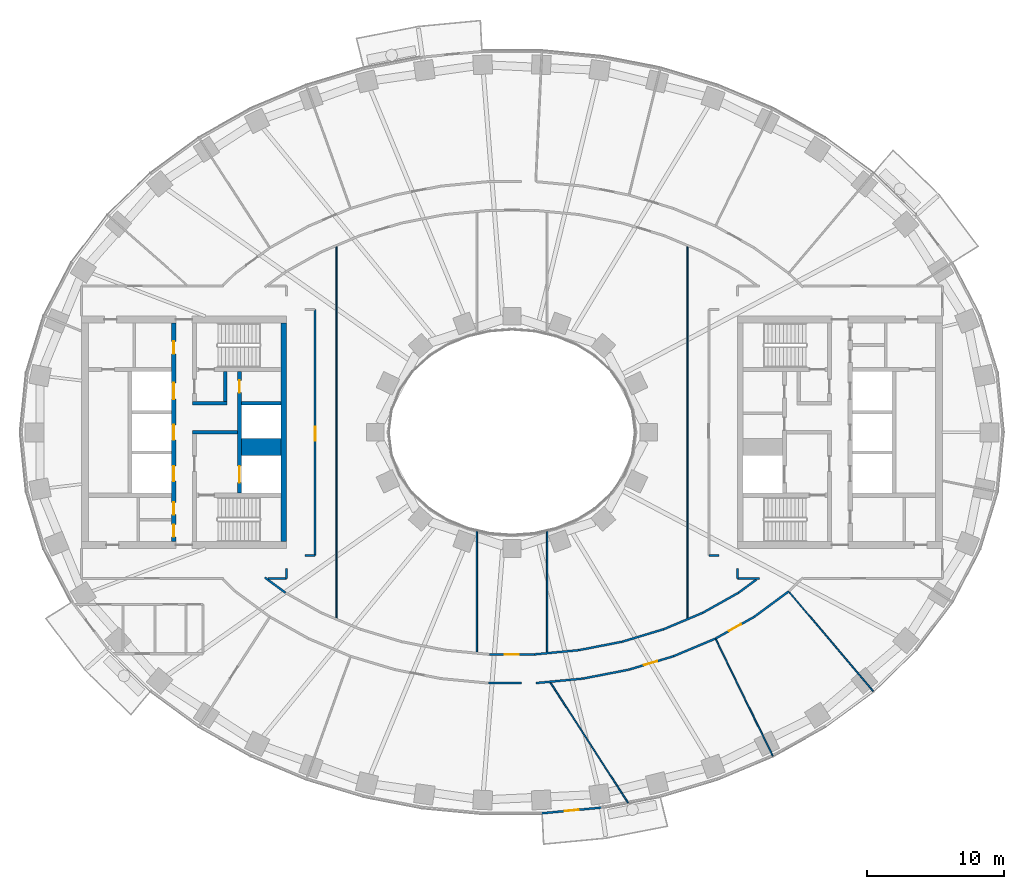
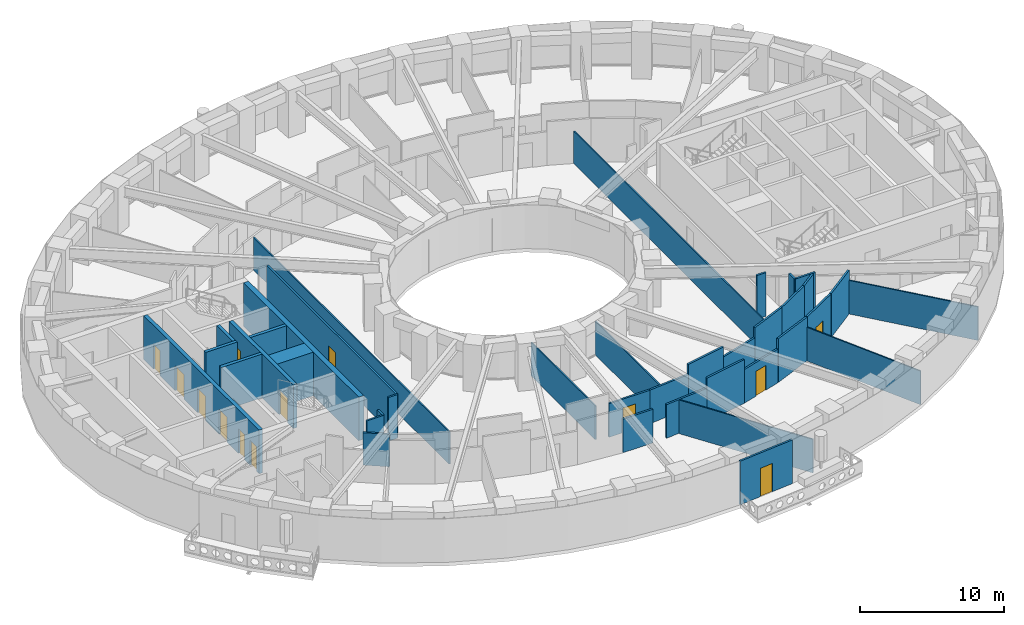
# One storey, part 4 of 16: 38 walls, 13 doors, 13 openings.
"""IFC4 building model written with IfcOpenShell, lengths in metres."""

from ifc_helpers import new_model, si_unit, direction, frame, frame_2d, origin, place, context, subcontext, project, spatial, rectangle, extrude, material, layer, layer_set, type_object, element, fill, save


model = new_model("IFC4")

# Units and contexts
model_context = context("Model", 3, precision=1e-05, world=origin(), true_north=direction((0.0, 1.0)))
body_context = subcontext(model_context, "Body", "Model", "MODEL_VIEW")
ifc_project = project(units=[si_unit("LENGTHUNIT", "METRE"), si_unit("AREAUNIT", "SQUARE_METRE"), si_unit("VOLUMEUNIT", "CUBIC_METRE"), si_unit("PLANEANGLEUNIT", "RADIAN"), si_unit("MASSUNIT", "GRAM", prefix="KILO")], contexts=[model_context])

# Site, building, storey
site_placement = place(None, origin())
site = spatial("IfcSite", under=ifc_project, at=site_placement, CompositionType="ELEMENT")
building_placement = place(site_placement, origin())
building = spatial("IfcBuilding", under=site, at=building_placement, Name="Noorbagh Ring Tower", CompositionType="ELEMENT")
storey_placement = place(building_placement, frame((0.0, 0.0, 66.5)))
storey = spatial("IfcBuildingStorey", under=building, at=storey_placement, Name="L14", CompositionType="ELEMENT", Elevation=66.5)

# Walls
ifc_material_1 = material(Name="Concrete C70/85", Category="concrete")
ifc_layer_1 = layer(ifc_material_1, 1.25)
ifc_layer_set_1 = layer_set([ifc_layer_1], Name="Concrete C70/85")
wall_type_1 = type_object("IfcWallType", Name="CORE-WALL-1250-C70-85-EI120", PredefinedType="SHEAR", material=ifc_layer_set_1)
wall_1_placement = place(storey_placement, frame((-16.89990234375, -1.074951171875, 0.0), z_axis=(0.0, 0.0, 1.0), x_axis=(-1.0, 0.0, 0.0)))
element("IfcWall", 1, at=wall_1_placement, inside=storey, type_object=wall_type_1, Name="Core wall W", PredefinedType="SHEAR", context=body_context, shape_type="SweptSolid", body=[
    extrude(rectangle(XDim=2.900146484375, YDim=1.25, at=frame_2d((1.4501953125, 0.0))), origin(), (0.0, 0.0, 1.0), 3.699951171875),
])
ifc_material_2 = material(Name="Concrete C70/85", Category="concrete")
ifc_layer_2 = layer(ifc_material_2, 0.25)
ifc_layer_set_2 = layer_set([ifc_layer_2], Name="Concrete C70/85")
wall_type_2 = type_object("IfcWallType", Name="CORE-WALL-250-C70-85-EI120", PredefinedType="SHEAR", material=ifc_layer_set_2)
wall_2_placement = place(storey_placement, frame((-16.89990234375, 2.125, 0.0), z_axis=(0.0, 0.0, 1.0), x_axis=(-1.0, 0.0, 0.0)))
element("IfcWall", 2, at=wall_2_placement, inside=storey, type_object=wall_type_2, Name="Core wall W", PredefinedType="SHEAR", context=body_context, shape_type="SweptSolid", body=[
    extrude(rectangle(XDim=2.900146484375, YDim=0.25, at=frame_2d((1.4501953125, 0.0))), origin(), (0.0, 0.0, 1.0), 3.699951171875),
])
ifc_material_3 = material(Name="Concrete C70/85", Category="concrete")
ifc_layer_3 = layer(ifc_material_3, 0.25)
ifc_layer_set_3 = layer_set([ifc_layer_3], Name="Concrete C70/85")
wall_type_3 = type_object("IfcWallType", Name="CORE-WALL-250-C70-85-EI240", PredefinedType="SHEAR", material=ifc_layer_set_3)
wall_3_placement = place(storey_placement, frame((-20.10009765625, 0.0, 0.0), z_axis=(0.0, 0.0, 1.0), x_axis=(-1.0, 0.0, 0.0)))
element("IfcWall", 3, at=wall_3_placement, inside=storey, type_object=wall_type_3, Name="Core wall W", PredefinedType="SHEAR", context=body_context, shape_type="SweptSolid", body=[
    extrude(rectangle(XDim=3.27978515625, YDim=0.25, at=frame_2d((1.639892578125, 0.0))), origin(), (0.0, 0.0, 1.0), 3.699951171875),
])
wall_4_placement = place(storey_placement, frame((-20.85009765625, 2.125, 0.0), z_axis=(0.0, 0.0, 1.0), x_axis=(-1.0, 0.0, 0.0)))
element("IfcWall", 4, at=wall_4_placement, inside=storey, type_object=wall_type_3, Name="Core wall W", PredefinedType="SHEAR", context=body_context, shape_type="SweptSolid", body=[
    extrude(rectangle(XDim=2.52978515625, YDim=0.25, at=frame_2d((1.264892578125, 0.0))), origin(), (0.0, 0.0, 1.0), 3.699951171875),
])
wall_5_placement = place(storey_placement, frame((-20.97509765625, 2.25, 0.0), z_axis=(0.0, 0.0, 1.0), x_axis=(0.0, 1.0, 0.0)))
element("IfcWall", 5, at=wall_5_placement, inside=storey, type_object=wall_type_3, Name="Core wall W", PredefinedType="SHEAR", context=body_context, shape_type="SweptSolid", body=[
    extrude(rectangle(XDim=2.199951171875, YDim=0.25, at=frame_2d((1.10009765625, 0.0))), origin(), (0.0, 0.0, 1.0), 3.699951171875),
])

# Wall, openings, doors
ifc_material_4 = material(Name="Concrete C70/85", Category="concrete")
ifc_layer_4 = layer(ifc_material_4, 0.300048828125)
ifc_layer_set_4 = layer_set([ifc_layer_4], Name="Concrete C70/85")
wall_type_4 = type_object("IfcWallType", Name="CORE-WALL-300-C70-85-EI120", PredefinedType="SHEAR", material=ifc_layer_set_4)
wall_6_placement = place(storey_placement, frame((-19.949951171875, -4.449951171875, 0.0), z_axis=(0.0, 0.0, 1.0), x_axis=(0.0, 1.0, 0.0)))
wall_6 = element("IfcWall", 6, at=wall_6_placement, inside=storey, type_object=wall_type_4, Name="Core wall W", PredefinedType="SHEAR", context=body_context, shape_type="SweptSolid", body=[
    extrude(rectangle(XDim=8.89990234375, YDim=0.300048828125, at=frame_2d((4.449951171875, 0.0))), origin(), (0.0, 0.0, 1.0), 3.699951171875),
])
opening_1_placement = place(wall_6_placement, frame((0.77490234375, 0.0, 0.0)))
opening_1 = element("IfcOpeningElement", 7, at=opening_1_placement, cuts=wall_6, Name="Opening L14-CW01", PredefinedType="OPENING", context=body_context, shape_type="SweptSolid", body=[
    extrude(rectangle(XDim=1.199951171875, YDim=2.10009765625, at=frame_2d((0.60009765625, 1.050048828125))), frame((0.0, 0.16015625, 0.0), z_axis=(0.0, -1.0, 0.0), x_axis=(1.0, 0.0, 0.0)), (0.0, 0.0, 1.0), 0.320068359375),
])
opening_2_placement = place(wall_6_placement, frame((7.35009765625, 0.0, 0.0)))
opening_2 = element("IfcOpeningElement", 8, at=opening_2_placement, cuts=wall_6, Name="Opening L14-CW11", PredefinedType="OPENING", context=body_context, shape_type="SweptSolid", body=[
    extrude(rectangle(XDim=0.89990234375, YDim=2.10009765625, at=frame_2d((0.449951171875, 1.050048828125))), frame((0.0, 0.16015625, 0.0), z_axis=(0.0, -1.0, 0.0), x_axis=(1.0, 0.0, 0.0)), (0.0, 0.0, 1.0), 0.320068359375),
])
ifc_material_5 = material(Name="Steel door leaf", Category="steel")
door_type_1 = type_object("IfcDoorType", Name="CORE-DOOR-DROOM", OperationType="SINGLE_SWING_LEFT", PredefinedType="DOOR", material=ifc_material_5)
door_1_placement = place(opening_2_placement, origin())
door_1 = element("IfcDoor", 9, at=door_1_placement, inside=storey, type_object=door_type_1, Name="Core room door L14-CW11", OperationType="SINGLE_SWING_LEFT", OverallHeight=2.10009765625, OverallWidth=0.89990234375, PredefinedType="DOOR", context=body_context, shape_type="SweptSolid", body=[
    extrude(rectangle(XDim=0.89990234375, YDim=2.10009765625, at=frame_2d((0.449951171875, 1.050048828125))), frame((0.0, 0.02490234375, 0.0), z_axis=(0.0, -1.0, 0.0), x_axis=(1.0, 0.0, 0.0)), (0.0, 0.0, 1.0), 0.050048828125),
])
fill(opening_2, door_1)
ifc_material_6 = material(Name="Steel door leaf", Category="steel")
door_type_2 = type_object("IfcDoorType", Name="CORE-DOOR-LDW", OperationType="DOUBLE_DOOR_SLIDING", PredefinedType="DOOR", material=ifc_material_6)
door_2_placement = place(opening_1_placement, origin())
door_2 = element("IfcDoor", 10, at=door_2_placement, inside=storey, type_object=door_type_2, Name="Landing door FF1 L14-CW01", OperationType="DOUBLE_DOOR_SLIDING", OverallHeight=2.10009765625, OverallWidth=1.199951171875, PredefinedType="DOOR", context=body_context, shape_type="SweptSolid", body=[
    extrude(rectangle(XDim=1.199951171875, YDim=2.10009765625, at=frame_2d((0.60009765625, 1.050048828125))), frame((0.0, 0.02490234375, 0.0), z_axis=(0.0, -1.0, 0.0), x_axis=(1.0, 0.0, 0.0)), (0.0, 0.0, 1.0), 0.050048828125),
])
fill(opening_1, door_2)

wall_7_placement = place(storey_placement, frame((-24.75, -8.0, 0.0), z_axis=(0.0, 0.0, 1.0), x_axis=(0.0, 1.0, 0.0)))
wall_7 = element("IfcWall", 11, at=wall_7_placement, inside=storey, type_object=wall_type_4, Name="Core wall W", PredefinedType="SHEAR", context=body_context, shape_type="SweptSolid", body=[
    extrude(rectangle(XDim=16.0, YDim=0.300048828125, at=frame_2d((8.0, 0.0))), origin(), (0.0, 0.0, 1.0), 3.699951171875),
])
opening_3_placement = place(wall_7_placement, frame((4.425048828125, 0.0, 0.0)))
opening_3 = element("IfcOpeningElement", 12, at=opening_3_placement, cuts=wall_7, Name="Opening L14-CW02", PredefinedType="OPENING", context=body_context, shape_type="SweptSolid", body=[
    extrude(rectangle(XDim=1.10009765625, YDim=2.10009765625, at=frame_2d((0.550048828125, 1.050048828125))), frame((0.0, 0.16015625, 0.0), z_axis=(0.0, -1.0, 0.0), x_axis=(1.0, 0.0, 0.0)), (0.0, 0.0, 1.0), 0.320068359375),
])
opening_4_placement = place(wall_7_placement, frame((7.449951171875, 0.0, 0.0)))
opening_4 = element("IfcOpeningElement", 13, at=opening_4_placement, cuts=wall_7, Name="Opening L14-CW03", PredefinedType="OPENING", context=body_context, shape_type="SweptSolid", body=[
    extrude(rectangle(XDim=1.10009765625, YDim=2.10009765625, at=frame_2d((0.550048828125, 1.050048828125))), frame((0.0, 0.16015625, 0.0), z_axis=(0.0, -1.0, 0.0), x_axis=(1.0, 0.0, 0.0)), (0.0, 0.0, 1.0), 0.320068359375),
])
opening_5_placement = place(wall_7_placement, frame((10.425048828125, 0.0, 0.0)))
opening_5 = element("IfcOpeningElement", 14, at=opening_5_placement, cuts=wall_7, Name="Opening L14-CW04", PredefinedType="OPENING", context=body_context, shape_type="SweptSolid", body=[
    extrude(rectangle(XDim=1.199951171875, YDim=2.10009765625, at=frame_2d((0.60009765625, 1.050048828125))), frame((0.0, 0.16015625, 0.0), z_axis=(0.0, -1.0, 0.0), x_axis=(1.0, 0.0, 0.0)), (0.0, 0.0, 1.0), 0.320068359375),
])
opening_6_placement = place(wall_7_placement, frame((13.75, 0.0, 0.0)))
opening_6 = element("IfcOpeningElement", 15, at=opening_6_placement, cuts=wall_7, Name="Opening L14-CW12", PredefinedType="OPENING", context=body_context, shape_type="SweptSolid", body=[
    extrude(rectangle(XDim=0.89990234375, YDim=2.10009765625, at=frame_2d((0.449951171875, 1.050048828125))), frame((0.0, 0.16015625, 0.0), z_axis=(0.0, -1.0, 0.0), x_axis=(1.0, 0.0, 0.0)), (0.0, 0.0, 1.0), 0.320068359375),
])
opening_7_placement = place(wall_7_placement, frame((1.97509765625, 0.0, 0.0)))
opening_7 = element("IfcOpeningElement", 16, at=opening_7_placement, cuts=wall_7, Name="Opening L14-CW14", PredefinedType="OPENING", context=body_context, shape_type="SweptSolid", body=[
    extrude(rectangle(XDim=0.89990234375, YDim=2.10009765625, at=frame_2d((0.449951171875, 1.050048828125))), frame((0.0, 0.16015625, 0.0), z_axis=(0.0, -1.0, 0.0), x_axis=(1.0, 0.0, 0.0)), (0.0, 0.0, 1.0), 0.320068359375),
])
opening_8_placement = place(wall_7_placement, frame((0.35009765625, 0.0, 0.0)))
opening_8 = element("IfcOpeningElement", 17, at=opening_8_placement, cuts=wall_7, Name="Opening L14-CW15", PredefinedType="OPENING", context=body_context, shape_type="SweptSolid", body=[
    extrude(rectangle(XDim=0.89990234375, YDim=2.10009765625, at=frame_2d((0.449951171875, 1.050048828125))), frame((0.0, 0.16015625, 0.0), z_axis=(0.0, -1.0, 0.0), x_axis=(1.0, 0.0, 0.0)), (0.0, 0.0, 1.0), 0.320068359375),
])
door_3_placement = place(opening_6_placement, origin())
door_3 = element("IfcDoor", 18, at=door_3_placement, inside=storey, type_object=door_type_1, Name="Core room door L14-CW12", OperationType="SINGLE_SWING_RIGHT", OverallHeight=2.10009765625, OverallWidth=0.89990234375, PredefinedType="DOOR", context=body_context, shape_type="SweptSolid", body=[
    extrude(rectangle(XDim=0.89990234375, YDim=2.10009765625, at=frame_2d((0.449951171875, 1.050048828125))), frame((0.0, 0.02490234375, 0.0), z_axis=(0.0, -1.0, 0.0), x_axis=(1.0, 0.0, 0.0)), (0.0, 0.0, 1.0), 0.050048828125),
])
fill(opening_6, door_3)
door_4_placement = place(opening_7_placement, origin())
door_4 = element("IfcDoor", 19, at=door_4_placement, inside=storey, type_object=door_type_1, Name="Core room door L14-CW14", OperationType="SINGLE_SWING_RIGHT", OverallHeight=2.10009765625, OverallWidth=0.89990234375, PredefinedType="DOOR", context=body_context, shape_type="SweptSolid", body=[
    extrude(rectangle(XDim=0.89990234375, YDim=2.10009765625, at=frame_2d((0.449951171875, 1.050048828125))), frame((0.0, 0.02490234375, 0.0), z_axis=(0.0, -1.0, 0.0), x_axis=(1.0, 0.0, 0.0)), (0.0, 0.0, 1.0), 0.050048828125),
])
fill(opening_7, door_4)
door_5_placement = place(opening_8_placement, origin())
door_5 = element("IfcDoor", 20, at=door_5_placement, inside=storey, type_object=door_type_1, Name="Core room door L14-CW15", OperationType="SINGLE_SWING_LEFT", OverallHeight=2.10009765625, OverallWidth=0.89990234375, PredefinedType="DOOR", context=body_context, shape_type="SweptSolid", body=[
    extrude(rectangle(XDim=0.89990234375, YDim=2.10009765625, at=frame_2d((0.449951171875, 1.050048828125))), frame((0.0, 0.02490234375, 0.0), z_axis=(0.0, -1.0, 0.0), x_axis=(1.0, 0.0, 0.0)), (0.0, 0.0, 1.0), 0.050048828125),
])
fill(opening_8, door_5)
ifc_material_7 = material(Name="Steel door leaf", Category="steel")
door_type_3 = type_object("IfcDoorType", Name="CORE-DOOR-LD", OperationType="DOUBLE_DOOR_SLIDING", PredefinedType="DOOR", material=ifc_material_7)
door_6_placement = place(opening_3_placement, origin())
door_6 = element("IfcDoor", 21, at=door_6_placement, inside=storey, type_object=door_type_3, Name="Landing door LR1 L14-CW02", OperationType="DOUBLE_DOOR_SLIDING", OverallHeight=2.10009765625, OverallWidth=1.10009765625, PredefinedType="DOOR", context=body_context, shape_type="SweptSolid", body=[
    extrude(rectangle(XDim=1.10009765625, YDim=2.10009765625, at=frame_2d((0.550048828125, 1.050048828125))), frame((0.0, 0.02490234375, 0.0), z_axis=(0.0, -1.0, 0.0), x_axis=(1.0, 0.0, 0.0)), (0.0, 0.0, 1.0), 0.050048828125),
])
fill(opening_3, door_6)
door_7_placement = place(opening_4_placement, origin())
door_7 = element("IfcDoor", 22, at=door_7_placement, inside=storey, type_object=door_type_3, Name="Landing door LR2 L14-CW03", OperationType="DOUBLE_DOOR_SLIDING", OverallHeight=2.10009765625, OverallWidth=1.10009765625, PredefinedType="DOOR", context=body_context, shape_type="SweptSolid", body=[
    extrude(rectangle(XDim=1.10009765625, YDim=2.10009765625, at=frame_2d((0.550048828125, 1.050048828125))), frame((0.0, 0.02490234375, 0.0), z_axis=(0.0, -1.0, 0.0), x_axis=(1.0, 0.0, 0.0)), (0.0, 0.0, 1.0), 0.050048828125),
])
fill(opening_4, door_7)
door_8_placement = place(opening_5_placement, origin())
door_8 = element("IfcDoor", 23, at=door_8_placement, inside=storey, type_object=door_type_2, Name="Landing door SV1 L14-CW04", OperationType="DOUBLE_DOOR_SLIDING", OverallHeight=2.10009765625, OverallWidth=1.199951171875, PredefinedType="DOOR", context=body_context, shape_type="SweptSolid", body=[
    extrude(rectangle(XDim=1.199951171875, YDim=2.10009765625, at=frame_2d((0.60009765625, 1.050048828125))), frame((0.0, 0.02490234375, 0.0), z_axis=(0.0, -1.0, 0.0), x_axis=(1.0, 0.0, 0.0)), (0.0, 0.0, 1.0), 0.050048828125),
])
fill(opening_5, door_8)

# Walls
ifc_material_8 = material(Name="Concrete C70/85", Category="concrete")
ifc_layer_5 = layer(ifc_material_8, 0.39990234375)
ifc_layer_set_5 = layer_set([ifc_layer_5], Name="Concrete C70/85")
wall_type_5 = type_object("IfcWallType", Name="CORE-WALL-400-C70-85-EI240", PredefinedType="SHEAR", material=ifc_layer_set_5)
wall_8_placement = place(storey_placement, frame((-16.699951171875, -8.0, 0.0), z_axis=(0.0, 0.0, 1.0), x_axis=(0.0, 1.0, 0.0)))
element("IfcWall", 24, at=wall_8_placement, inside=storey, type_object=wall_type_5, Name="Core wall W", PredefinedType="SHEAR", context=body_context, shape_type="SweptSolid", body=[
    extrude(rectangle(XDim=16.0, YDim=0.39990234375, at=frame_2d((8.0, 0.0))), origin(), (0.0, 0.0, 1.0), 3.699951171875),
])
ifc_material_9 = material(Name="Gypsum board on steel studs", Category="steel")
ifc_layer_6 = layer(ifc_material_9, 0.14990234375)
ifc_layer_set_6 = layer_set([ifc_layer_6], Name="Gypsum board on steel studs")
wall_type_6 = type_object("IfcWallType", Name="CORRIDOR PARTITION 150 EI 30", PredefinedType="PARTITIONING", material=ifc_layer_set_6)
wall_9_placement = place(storey_placement, frame((-18.0830078125, -10.625, 0.0), z_axis=(0.0, 0.0, 1.0), x_axis=(0.805150898842, -0.593070004379, 0.0)))
element("IfcWall", 25, at=wall_9_placement, inside=storey, type_object=wall_type_6, Name="L14/wall/P21", PredefinedType="PARTITIONING", context=body_context, shape_type="SweptSolid", body=[
    extrude(rectangle(XDim=1.871826171875, YDim=0.14990234375, at=frame_2d((0.93603515625, 0.0))), origin(), (0.0, 0.0, 1.0), 2.75),
])
wall_10_placement = place(storey_placement, frame((-17.85498046875, -10.699951171875, 0.0), z_axis=(0.0, 0.0, 1.0), x_axis=(1.0, 0.0, 0.0)))
element("IfcWall", 26, at=wall_10_placement, inside=storey, type_object=wall_type_6, Name="L14/wall/P22", PredefinedType="PARTITIONING", context=body_context, shape_type="SweptSolid", body=[
    extrude(rectangle(XDim=1.35498046875, YDim=0.14990234375, at=frame_2d((0.677490234375, 0.0))), origin(), (0.0, 0.0, 1.0), 3.699951171875),
])
wall_11_placement = place(storey_placement, frame((-16.5, -10.699951171875, 0.0), z_axis=(0.0, 0.0, 1.0), x_axis=(0.0, 1.0, 0.0)))
element("IfcWall", 27, at=wall_11_placement, inside=storey, type_object=wall_type_6, Name="L14/wall/P29", PredefinedType="PARTITIONING", context=body_context, shape_type="SweptSolid", body=[
    extrude(rectangle(XDim=0.73583984375, YDim=0.14990234375, at=frame_2d((0.367919921875, 0.0))), origin(), (0.0, 0.0, 1.0), 3.699951171875),
])
wall_12_placement = place(storey_placement, frame((-15.134033203125, -9.0, 0.0), z_axis=(0.0, 0.0, 1.0), x_axis=(1.0, 0.0, 0.0)))
element("IfcWall", 28, at=wall_12_placement, inside=storey, type_object=wall_type_6, Name="L14/wall/P31", PredefinedType="PARTITIONING", context=body_context, shape_type="SweptSolid", body=[
    extrude(rectangle(XDim=0.734130859375, YDim=0.14990234375, at=frame_2d((0.3671875, 0.0))), origin(), (0.0, 0.0, 1.0), 3.699951171875),
])

# Wall, opening, door
wall_13_placement = place(storey_placement, frame((-14.39990234375, -9.0, 0.0), z_axis=(0.0, 0.0, 1.0), x_axis=(0.0, 1.0, 0.0)))
wall_13 = element("IfcWall", 29, at=wall_13_placement, inside=storey, type_object=wall_type_6, Name="L14/wall/P37", PredefinedType="PARTITIONING", context=body_context, shape_type="SweptSolid", body=[
    extrude(rectangle(XDim=18.0, YDim=0.14990234375, at=frame_2d((9.0, 0.0))), origin(), (0.0, 0.0, 1.0), 3.699951171875),
])
opening_9_placement = place(wall_13_placement, frame((8.39990234375, 0.0, 0.0)))
opening_9 = element("IfcOpeningElement", 30, at=opening_9_placement, cuts=wall_13, Name="Opening D1", PredefinedType="OPENING", context=body_context, shape_type="SweptSolid", body=[
    extrude(rectangle(XDim=1.0, YDim=2.10009765625, at=frame_2d((0.5, 1.050048828125))), frame((0.0, 0.0849609375, 0.0), z_axis=(0.0, -1.0, 0.0), x_axis=(1.0, 0.0, 0.0)), (0.0, 0.0, 1.0), 0.169921875),
])
ifc_material_10 = material(Name="Timber, painted", Category="wood")
door_type_4 = type_object("IfcDoorType", Name="DOOR 1000 X 2100 FD30", OperationType="SINGLE_SWING_LEFT", PredefinedType="DOOR", material=ifc_material_10)
door_9_placement = place(opening_9_placement, origin())
door_9 = element("IfcDoor", 31, at=door_9_placement, inside=storey, type_object=door_type_4, Name="L14-D21", OperationType="SINGLE_SWING_LEFT", OverallHeight=2.10009765625, OverallWidth=1.0, PredefinedType="DOOR", context=body_context, shape_type="SweptSolid", body=[
    extrude(rectangle(XDim=1.0, YDim=2.10009765625, at=frame_2d((0.5, 1.050048828125))), frame((0.0, 0.02490234375, 0.0), z_axis=(0.0, -1.0, 0.0), x_axis=(1.0, 0.0, 0.0)), (0.0, 0.0, 1.0), 0.050048828125),
])
fill(opening_9, door_9)

# Wall
wall_14_placement = place(storey_placement, frame((-1.736083984375, -18.347900390625, 0.0), z_axis=(0.0, 0.0, 1.0), x_axis=(1.0, 0.0, 0.0)))
element("IfcWall", 32, at=wall_14_placement, inside=storey, type_object=wall_type_6, Name="L14/wall/P55", PredefinedType="PARTITIONING", context=body_context, shape_type="SweptSolid", body=[
    extrude(rectangle(XDim=2.4130859375, YDim=0.14990234375, at=frame_2d((1.20654296875, 0.0))), origin(), (0.0, 0.0, 1.0), 2.85009765625),
])

# Wall, opening, door
wall_15_placement = place(storey_placement, frame((-1.635986328125, -16.248046875, 0.0), z_axis=(0.0, 0.0, 1.0), x_axis=(1.0, 0.0, 0.0)))
wall_15 = element("IfcWall", 33, at=wall_15_placement, inside=storey, type_object=wall_type_6, Name="L14/wall/P57", PredefinedType="PARTITIONING", context=body_context, shape_type="SweptSolid", body=[
    extrude(rectangle(XDim=3.27197265625, YDim=0.14990234375, at=frame_2d((1.635986328125, 0.0))), origin(), (0.0, 0.0, 1.0), 2.85009765625),
])
opening_10_placement = place(wall_15_placement, frame((1.1220703125, 0.0, 0.0)))
opening_10 = element("IfcOpeningElement", 34, at=opening_10_placement, cuts=wall_15, Name="Opening D1", PredefinedType="OPENING", context=body_context, shape_type="SweptSolid", body=[
    extrude(rectangle(XDim=1.0, YDim=2.10009765625, at=frame_2d((0.5, 1.050048828125))), frame((0.0, 0.0849609375, 0.0), z_axis=(0.0, -1.0, 0.0), x_axis=(1.0, 0.0, 0.0)), (0.0, 0.0, 1.0), 0.169921875),
])
door_10_placement = place(opening_10_placement, origin())
door_10 = element("IfcDoor", 35, at=door_10_placement, inside=storey, type_object=door_type_4, Name="L14-D23", OperationType="SINGLE_SWING_LEFT", OverallHeight=2.10009765625, OverallWidth=1.0, PredefinedType="DOOR", context=body_context, shape_type="SweptSolid", body=[
    extrude(rectangle(XDim=1.0, YDim=2.10009765625, at=frame_2d((0.5, 1.050048828125))), frame((0.0, 0.02490234375, 0.0), z_axis=(0.0, -1.0, 0.0), x_axis=(1.0, 0.0, 0.0)), (0.0, 0.0, 1.0), 0.050048828125),
])
fill(opening_10, door_10)

# Walls
wall_16_placement = place(storey_placement, frame((1.635986328125, -16.248046875, 0.0), z_axis=(0.0, 0.0, 1.0), x_axis=(0.99547459835, 0.095028017131, 0.0)))
element("IfcWall", 36, at=wall_16_placement, inside=storey, type_object=wall_type_6, Name="L14/wall/P59", PredefinedType="PARTITIONING", context=body_context, shape_type="SweptSolid", body=[
    extrude(rectangle(XDim=3.2626953125, YDim=0.14990234375, at=frame_2d((1.63134765625, 0.0))), origin(), (0.0, 0.0, 1.0), 2.85009765625),
])
wall_17_placement = place(storey_placement, frame((1.756103515625, -18.345947265625, 0.0), z_axis=(0.0, 0.0, 1.0), x_axis=(0.99548367506, 0.094932885187, 0.0)))
element("IfcWall", 37, at=wall_17_placement, inside=storey, type_object=wall_type_6, Name="L14/wall/P62", PredefinedType="PARTITIONING", context=body_context, shape_type="SweptSolid", body=[
    extrude(rectangle(XDim=3.443603515625, YDim=0.14990234375, at=frame_2d((1.7216796875, 0.0))), origin(), (0.0, 0.0, 1.0), 2.85009765625),
])
wall_18_placement = place(storey_placement, frame((4.884033203125, -15.93798828125, 0.0), z_axis=(0.0, 0.0, 1.0), x_axis=(0.981604377859, 0.190926282547, 0.0)))
element("IfcWall", 38, at=wall_18_placement, inside=storey, type_object=wall_type_6, Name="L14/wall/P67", PredefinedType="PARTITIONING", context=body_context, shape_type="SweptSolid", body=[
    extrude(rectangle(XDim=3.231201171875, YDim=0.14990234375, at=frame_2d((1.61572265625, 0.0))), origin(), (0.0, 0.0, 1.0), 3.699951171875),
])
wall_19_placement = place(storey_placement, frame((5.18408203125, -18.01904296875, 0.0), z_axis=(0.0, 0.0, 1.0), x_axis=(0.981650299947, 0.190690032812, 0.0)))
element("IfcWall", 39, at=wall_19_placement, inside=storey, type_object=wall_type_6, Name="L14/wall/P69", PredefinedType="PARTITIONING", context=body_context, shape_type="SweptSolid", body=[
    extrude(rectangle(XDim=3.419677734375, YDim=0.14990234375, at=frame_2d((1.7099609375, 0.0))), origin(), (0.0, 0.0, 1.0), 3.699951171875),
])
wall_20_placement = place(storey_placement, frame((8.055908203125, -15.321044921875, 0.0), z_axis=(0.0, 0.0, 1.0), x_axis=(0.957612601062, 0.28805920622, 0.0)))
element("IfcWall", 40, at=wall_20_placement, inside=storey, type_object=wall_type_6, Name="L14/wall/P71", PredefinedType="PARTITIONING", context=body_context, shape_type="SweptSolid", body=[
    extrude(rectangle(XDim=3.179931640625, YDim=0.14990234375, at=frame_2d((1.58984375, 0.0))), origin(), (0.0, 0.0, 1.0), 2.85009765625),
])

# Wall, opening, door
wall_21_placement = place(storey_placement, frame((8.56005859375, -17.363037109375, 0.0), z_axis=(0.0, 0.0, 1.0), x_axis=(0.95754884035, 0.28827108482, 0.0)))
wall_21 = element("IfcWall", 41, at=wall_21_placement, inside=storey, type_object=wall_type_6, Name="L14/wall/P73", PredefinedType="PARTITIONING", context=body_context, shape_type="SweptSolid", body=[
    extrude(rectangle(XDim=3.396240234375, YDim=0.14990234375, at=frame_2d((1.6982421875, 0.0))), origin(), (0.0, 0.0, 1.0), 2.85009765625),
])
opening_11_placement = place(wall_21_placement, frame((1.14990234375, 0.0, 0.0)))
opening_11 = element("IfcOpeningElement", 42, at=opening_11_placement, cuts=wall_21, Name="Opening D1", PredefinedType="OPENING", context=body_context, shape_type="SweptSolid", body=[
    extrude(rectangle(XDim=1.0, YDim=2.10009765625, at=frame_2d((0.5, 1.050048828125))), frame((0.0, 0.0849609375, 0.0), z_axis=(0.0, -1.0, 0.0), x_axis=(1.0, 0.0, 0.0)), (0.0, 0.0, 1.0), 0.169921875),
])
door_11_placement = place(opening_11_placement, origin())
door_11 = element("IfcDoor", 43, at=door_11_placement, inside=storey, type_object=door_type_4, Name="L14-D13", OperationType="SINGLE_SWING_LEFT", OverallHeight=2.10009765625, OverallWidth=1.0, PredefinedType="DOOR", context=body_context, shape_type="SweptSolid", body=[
    extrude(rectangle(XDim=1.0, YDim=2.10009765625, at=frame_2d((0.5, 1.050048828125))), frame((0.0, 0.02490234375, 0.0), z_axis=(0.0, -1.0, 0.0), x_axis=(1.0, 0.0, 0.0)), (0.0, 0.0, 1.0), 0.050048828125),
])
fill(opening_11, door_11)

# Walls
wall_22_placement = place(storey_placement, frame((11.10107421875, -14.405029296875, 0.0), z_axis=(0.0, 0.0, 1.0), x_axis=(0.921753827375, 0.387775555857, 0.0)))
element("IfcWall", 44, at=wall_22_placement, inside=storey, type_object=wall_type_6, Name="L14/wall/P76", PredefinedType="PARTITIONING", context=body_context, shape_type="SweptSolid", body=[
    extrude(rectangle(XDim=3.1025390625, YDim=0.14990234375, at=frame_2d((1.55126953125, 0.0))), origin(), (0.0, 0.0, 1.0), 3.699951171875),
])
wall_23_placement = place(storey_placement, frame((11.81201171875, -16.384033203125, 0.0), z_axis=(0.0, 0.0, 1.0), x_axis=(0.921839278558, 0.387572373252, 0.0)))
element("IfcWall", 45, at=wall_23_placement, inside=storey, type_object=wall_type_6, Name="L14/wall/P78", PredefinedType="PARTITIONING", context=body_context, shape_type="SweptSolid", body=[
    extrude(rectangle(XDim=3.33349609375, YDim=0.14990234375, at=frame_2d((1.666748046875, 0.0))), origin(), (0.0, 0.0, 1.0), 3.699951171875),
])
wall_24_placement = place(storey_placement, frame((13.9609375, -13.201904296875, 0.0), z_axis=(0.0, 0.0, 1.0), x_axis=(0.872164226045, 0.489213207924, 0.0)))
element("IfcWall", 46, at=wall_24_placement, inside=storey, type_object=wall_type_6, Name="L14/wall/P81", PredefinedType="PARTITIONING", context=body_context, shape_type="SweptSolid", body=[
    extrude(rectangle(XDim=2.998291015625, YDim=0.14990234375, at=frame_2d((1.4990234375, 0.0))), origin(), (0.0, 0.0, 1.0), 3.699951171875),
])
wall_25_placement = place(storey_placement, frame((14.39990234375, -9.0, 0.0), z_axis=(0.0, 0.0, 1.0), x_axis=(1.0, 0.0, 0.0)))
element("IfcWall", 47, at=wall_25_placement, inside=storey, type_object=wall_type_6, Name="L14/wall/P84", PredefinedType="PARTITIONING", context=body_context, shape_type="SweptSolid", body=[
    extrude(rectangle(XDim=0.734130859375, YDim=0.14990234375, at=frame_2d((0.3671875, 0.0))), origin(), (0.0, 0.0, 1.0), 3.699951171875),
])

# Wall, opening, door
wall_26_placement = place(storey_placement, frame((14.902099609375, -15.08203125, 0.0), z_axis=(0.0, 0.0, 1.0), x_axis=(0.872144615544, 0.489248167679, 0.0)))
wall_26 = element("IfcWall", 48, at=wall_26_placement, inside=storey, type_object=wall_type_6, Name="L14/wall/P88", PredefinedType="PARTITIONING", context=body_context, shape_type="SweptSolid", body=[
    extrude(rectangle(XDim=3.2275390625, YDim=0.14990234375, at=frame_2d((1.61376953125, 0.0))), origin(), (0.0, 0.0, 1.0), 3.699951171875),
])
opening_12_placement = place(wall_26_placement, frame((1.13037109375, 0.0, 0.0)))
opening_12 = element("IfcOpeningElement", 49, at=opening_12_placement, cuts=wall_26, Name="Opening D1", PredefinedType="OPENING", context=body_context, shape_type="SweptSolid", body=[
    extrude(rectangle(XDim=1.0, YDim=2.10009765625, at=frame_2d((0.5, 1.050048828125))), frame((0.0, 0.0849609375, 0.0), z_axis=(0.0, -1.0, 0.0), x_axis=(1.0, 0.0, 0.0)), (0.0, 0.0, 1.0), 0.169921875),
])
door_12_placement = place(opening_12_placement, origin())
door_12 = element("IfcDoor", 50, at=door_12_placement, inside=storey, type_object=door_type_4, Name="L14-D15", OperationType="SINGLE_SWING_LEFT", OverallHeight=2.10009765625, OverallWidth=1.0, PredefinedType="DOOR", context=body_context, shape_type="SweptSolid", body=[
    extrude(rectangle(XDim=1.0, YDim=2.10009765625, at=frame_2d((0.5, 1.050048828125))), frame((0.0, 0.02490234375, 0.0), z_axis=(0.0, -1.0, 0.0), x_axis=(1.0, 0.0, 0.0)), (0.0, 0.0, 1.0), 0.050048828125),
])
fill(opening_12, door_12)

# Walls
wall_27_placement = place(storey_placement, frame((16.5, -10.699951171875, 0.0), z_axis=(0.0, 0.0, 1.0), x_axis=(0.0, 1.0, 0.0)))
element("IfcWall", 51, at=wall_27_placement, inside=storey, type_object=wall_type_6, Name="L14/wall/P90", PredefinedType="PARTITIONING", context=body_context, shape_type="SweptSolid", body=[
    extrude(rectangle(XDim=0.73583984375, YDim=0.14990234375, at=frame_2d((0.367919921875, 0.0))), origin(), (0.0, 0.0, 1.0), 3.699951171875),
])
wall_28_placement = place(storey_placement, frame((16.5, -10.699951171875, 0.0), z_axis=(0.0, 0.0, 1.0), x_axis=(1.0, 0.0, 0.0)))
element("IfcWall", 52, at=wall_28_placement, inside=storey, type_object=wall_type_6, Name="L14/wall/P91", PredefinedType="PARTITIONING", context=body_context, shape_type="SweptSolid", body=[
    extrude(rectangle(XDim=1.60693359375, YDim=0.14990234375, at=frame_2d((0.803466796875, 0.0))), origin(), (0.0, 0.0, 1.0), 3.699951171875),
])
wall_29_placement = place(storey_placement, frame((16.575927734375, -11.735107421875, 0.0), z_axis=(0.0, 0.0, 1.0), x_axis=(0.805021714708, 0.593245344566, 0.0)))
element("IfcWall", 53, at=wall_29_placement, inside=storey, type_object=wall_type_6, Name="L14/wall/P94", PredefinedType="PARTITIONING", context=body_context, shape_type="SweptSolid", body=[
    extrude(rectangle(XDim=1.61865234375, YDim=0.14990234375, at=frame_2d((0.809326171875, 0.0))), origin(), (0.0, 0.0, 1.0), 3.699951171875),
])
wall_30_placement = place(storey_placement, frame((17.717041015625, -13.5029296875, 0.0), z_axis=(0.0, 0.0, 1.0), x_axis=(0.805106688633, 0.593130019404, 0.0)))
element("IfcWall", 54, at=wall_30_placement, inside=storey, type_object=wall_type_6, Name="L14/wall/P96", PredefinedType="PARTITIONING", context=body_context, shape_type="SweptSolid", body=[
    extrude(rectangle(XDim=3.13720703125, YDim=0.14990234375, at=frame_2d((1.568603515625, 0.0))), origin(), (0.0, 0.0, 1.0), 3.699951171875),
])

# Wall, opening, door
ifc_material_11 = material(Name="Insulated aluminium clad panel", Category="aluminium")
ifc_layer_7 = layer(ifc_material_11, 0.14990234375)
ifc_layer_set_7 = layer_set([ifc_layer_7], Name="Insulated aluminium clad panel")
wall_type_7 = type_object("IfcWallType", Name="ENV-WALL-DOOR", PredefinedType="STANDARD", material=ifc_layer_set_7)
wall_31_placement = place(storey_placement, frame((2.166259765625, -27.875244140625, 0.0), z_axis=(0.0, 0.0, 1.0), x_axis=(0.995473879823, 0.095035543824, 0.0)))
wall_31 = element("IfcWall", 55, at=wall_31_placement, inside=storey, type_object=wall_type_7, Name="Balcony door wall chord 36", PredefinedType="STANDARD", context=body_context, shape_type="SweptSolid", body=[
    extrude(rectangle(XDim=4.42626953125, YDim=0.14990234375, at=frame_2d((2.213134765625, 0.0))), origin(), (0.0, 0.0, 1.0), 3.699951171875),
])
opening_13_placement = place(wall_31_placement, frame((1.713134765625, 0.0, 0.0)))
opening_13 = element("IfcOpeningElement", 56, at=opening_13_placement, cuts=wall_31, Name="Opening D-BL", PredefinedType="OPENING", context=body_context, shape_type="SweptSolid", body=[
    extrude(rectangle(XDim=1.0, YDim=2.39990234375, at=frame_2d((0.5, 1.199951171875))), frame((0.0, 0.0849609375, 0.0), z_axis=(0.0, -1.0, 0.0), x_axis=(1.0, 0.0, 0.0)), (0.0, 0.0, 1.0), 0.169921875),
])
ifc_material_12 = material(Name="Aluminium and glass", Category="aluminium")
door_type_5 = type_object("IfcDoorType", Name="ENV-DOOR-BALCONY", OperationType="SINGLE_SWING_LEFT", PredefinedType="DOOR", material=ifc_material_12)
door_13_placement = place(opening_13_placement, origin())
door_13 = element("IfcDoor", 57, at=door_13_placement, inside=storey, type_object=door_type_5, Name="Balcony door chord 36", OperationType="SINGLE_SWING_LEFT", OverallHeight=2.39990234375, OverallWidth=1.0, PredefinedType="DOOR", context=body_context, shape_type="SweptSolid", body=[
    extrude(rectangle(XDim=1.0, YDim=2.39990234375, at=frame_2d((0.5, 1.199951171875))), frame((0.0, 0.02490234375, 0.0), z_axis=(0.0, -1.0, 0.0), x_axis=(1.0, 0.0, 0.0)), (0.0, 0.0, 1.0), 0.050048828125),
])
fill(opening_13, door_13)

# Walls
ifc_material_13 = material(Name="Gypsum board on steel studs", Category="steel")
ifc_layer_8 = layer(ifc_material_13, 0.10009765625)
ifc_layer_set_8 = layer_set([ifc_layer_8], Name="Gypsum board on steel studs")
wall_type_8 = type_object("IfcWallType", Name="PARTITION 100 GYPSUM", PredefinedType="PARTITIONING", material=ifc_layer_set_8)
wall_32_placement = place(storey_placement, frame((-12.843017578125, -13.5869140625, 0.0), z_axis=(0.0, 0.0, 1.0), x_axis=(0.0, 1.0, 0.0)))
element("IfcWall", 58, at=wall_32_placement, inside=storey, type_object=wall_type_8, Name="L14/wall/P40", PredefinedType="PARTITIONING", context=body_context, shape_type="SweptSolid", body=[
    extrude(rectangle(XDim=27.173828125, YDim=0.10009765625, at=frame_2d((13.5869140625, 0.0))), origin(), (0.0, 0.0, 1.0), 2.75),
])
for number, where, z_axis, x_axis, name in (
    (59, (-2.569091796875, -16.080078125, 0.0), (0.0, 0.0, 1.0), (0.0, 1.0, 0.0), "L14/wall/P53"),
    (60, (2.569091796875, -16.080078125, 0.0), (0.0, 0.0, 1.0), (0.0, 1.0, 0.0), "L14/wall/P64"),
):
    element("IfcWall", number, at=place(storey_placement, frame(where, z_axis=z_axis, x_axis=x_axis)), inside=storey, type_object=wall_type_8, Name=name, PredefinedType="PARTITIONING", context=body_context, shape_type="SweptSolid", body=[
        extrude(rectangle(XDim=8.919189453125, YDim=0.10009765625, at=frame_2d((4.45947265625, 0.0))), origin(), (0.0, 0.0, 1.0), 2.85009765625),
    ])
wall_33_placement = place(storey_placement, frame((2.822021484375, -18.320068359375, 0.0), z_axis=(0.0, 0.0, 1.0), x_axis=(0.54232046371, -0.840171717354, 0.0)))
element("IfcWall", 61, at=wall_33_placement, inside=storey, type_object=wall_type_8, Name="L14/wall/P66", PredefinedType="PARTITIONING", context=body_context, shape_type="SweptSolid", body=[
    extrude(rectangle(XDim=10.454833984375, YDim=0.10009765625, at=frame_2d((5.2275390625, 0.0))), origin(), (0.0, 0.0, 1.0), 2.85009765625),
])
wall_34_placement = place(storey_placement, frame((12.843017578125, -13.5869140625, 0.0), z_axis=(0.0, 0.0, 1.0), x_axis=(0.0, 1.0, 0.0)))
element("IfcWall", 62, at=wall_34_placement, inside=storey, type_object=wall_type_8, Name="L14/wall/P80", PredefinedType="PARTITIONING", context=body_context, shape_type="SweptSolid", body=[
    extrude(rectangle(XDim=27.173828125, YDim=0.10009765625, at=frame_2d((13.5869140625, 0.0))), origin(), (0.0, 0.0, 1.0), 2.75),
])
wall_35_placement = place(storey_placement, frame((14.886962890625, -15.095947265625, 0.0), z_axis=(0.0, 0.0, 1.0), x_axis=(0.439197765869, -0.89839040648, 0.0)))
element("IfcWall", 63, at=wall_35_placement, inside=storey, type_object=wall_type_8, Name="L14/wall/P86", PredefinedType="PARTITIONING", context=body_context, shape_type="SweptSolid", body=[
    extrude(rectangle(XDim=9.560546875, YDim=0.10009765625, at=frame_2d((4.7802734375, 0.0))), origin(), (0.0, 0.0, 1.0), 2.85009765625),
])
wall_36_placement = place(storey_placement, frame((20.2451171875, -11.64501953125, 0.0), z_axis=(0.0, 0.0, 1.0), x_axis=(0.646420249139, -0.762981560395, 0.0)))
element("IfcWall", 64, at=wall_36_placement, inside=storey, type_object=wall_type_8, Name="L14/wall/P98", PredefinedType="PARTITIONING", context=body_context, shape_type="SweptSolid", body=[
    extrude(rectangle(XDim=9.56787109375, YDim=0.10009765625, at=frame_2d((4.783935546875, 0.0))), origin(), (0.0, 0.0, 1.0), 2.85009765625),
])

save(model, "model.ifc")
